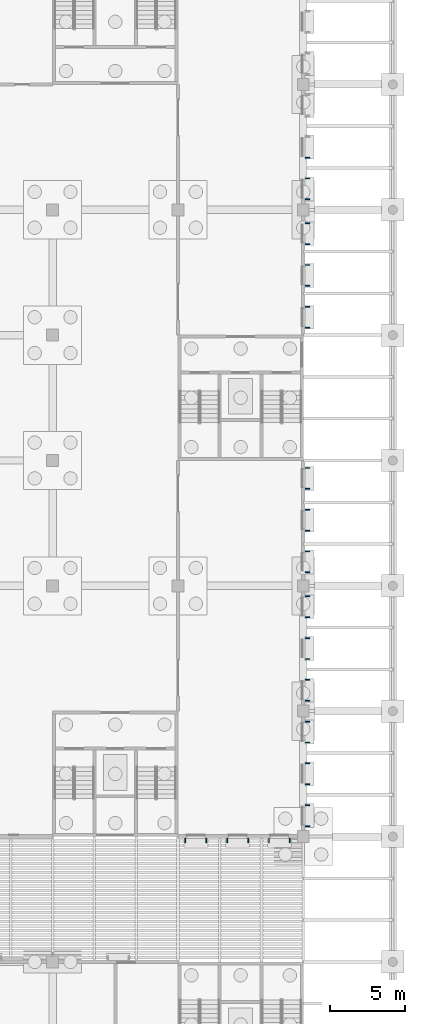
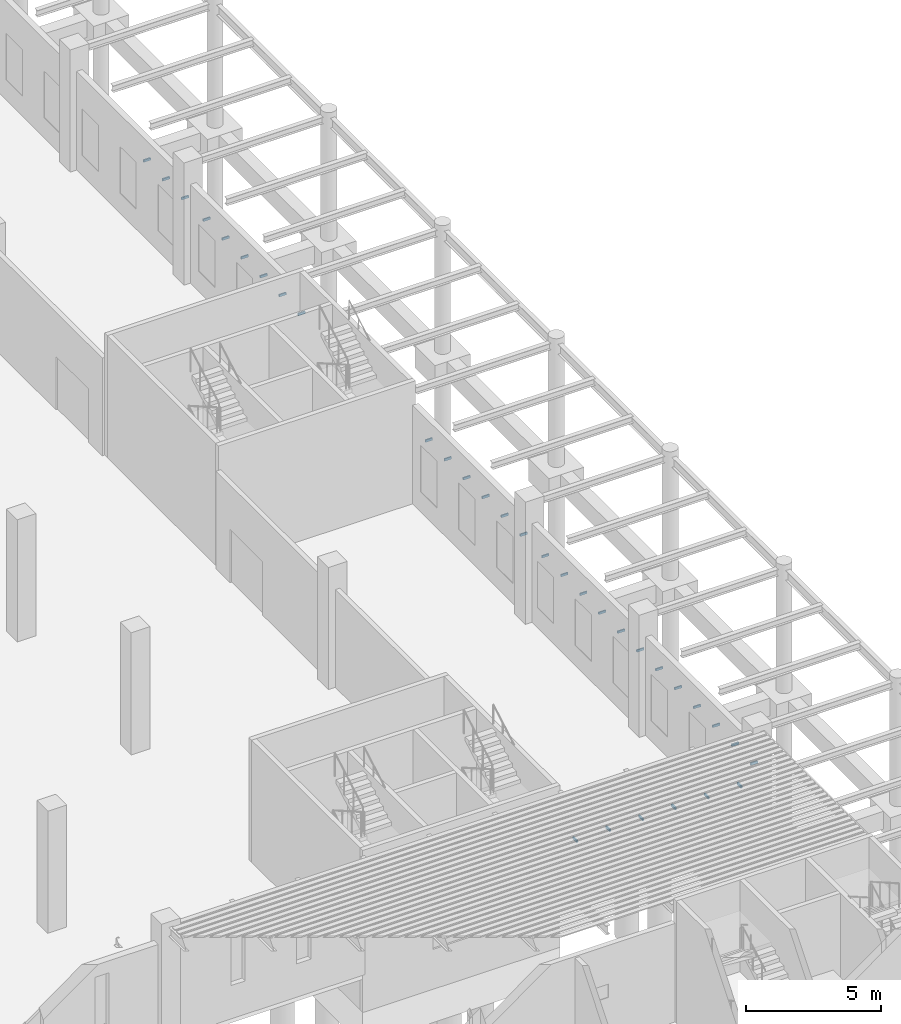
# One storey, part 53 of 82: 33 discrete accessories.
"""IFC4 building model written with IfcOpenShell, lengths in metres."""

import ifcopenshell
import ifcopenshell.guid

model = None  # the IFC model being written
_history = None  # IfcOwnerHistory: only IFC2X3 demands one
_inside = {}  # id of a spatial element -> (the spatial element, [elements in it])
_under = {}  # id of a project, library or spatial element -> (it, [spatial elements below it])
_declared = {}  # id of a project -> (the project, [libraries it declares])
_typed = {}  # id of a type object -> (the type object, [elements of that type])
_made_of = {}  # id of a material, layer set ... -> (it, [elements and type objects made of it])


def new_model(schema):
    """Start an empty IFC model of exactly this schema.

    Asked for "IFC4X3", IfcOpenShell would pick the latest addendum, in which some entities
    have other attributes; the version numbers below select the first issue.
    IFC2X3 requires an IfcOwnerHistory on every rooted entity: one is made here for all.
    """
    global model, _history
    if schema == "IFC4X3":
        model = ifcopenshell.file(schema_version=(4, 3, 0, 0))
    else:
        model = ifcopenshell.file(schema=schema)
    _inside.clear()
    _under.clear()
    _declared.clear()
    _typed.clear()
    _made_of.clear()
    _history = None
    if model.schema == "IFC2X3":
        org = make("IfcOrganization", Name="unknown")
        user = make(
            "IfcPersonAndOrganization",
            ThePerson=make("IfcPerson", FamilyName="unknown"),
            TheOrganization=org,
        )
        app = make(
            "IfcApplication",
            ApplicationDeveloper=org,
            Version="unknown",
            ApplicationFullName="unknown",
            ApplicationIdentifier="unknown",
        )
        _history = make(
            "IfcOwnerHistory",
            OwningUser=user,
            OwningApplication=app,
            ChangeAction="ADDED",
            CreationDate=0,
        )
    return model


def make(cls, **values):
    """One entity of the class cls with the attributes given. An attribute that is None is left unset."""
    return model.create_entity(
        cls, **{name: value for name, value in values.items() if value is not None}
    )


def rooted(cls, **values):
    """An entity with a GlobalId (a new one), such as an element, a storey or a relation."""
    return make(cls, GlobalId=ifcopenshell.guid.new(), OwnerHistory=_history, **values)


def si_unit(unit_type, name, prefix=None):
    """IfcSIUnit, for example si_unit("LENGTHUNIT", "METRE", prefix="MILLI")."""
    return make("IfcSIUnit", UnitType=unit_type, Prefix=prefix, Name=name)


def assignment(units):
    """IfcUnitAssignment: the units of a project."""
    return None if units is None else make("IfcUnitAssignment", Units=units)


def point(xyz):
    """IfcCartesianPoint."""
    return None if xyz is None else make("IfcCartesianPoint", Coordinates=xyz)


def direction(xyz):
    """IfcDirection."""
    return None if xyz is None else make("IfcDirection", DirectionRatios=xyz)


def frame(location, z_axis=None, x_axis=None):
    """IfcAxis2Placement3D, a coordinate frame: its origin and axes. An axis left out is left unset."""
    return make(
        "IfcAxis2Placement3D",
        Location=point(location),
        Axis=direction(z_axis),
        RefDirection=direction(x_axis),
    )


def frame_2d(location, x_axis=None):
    """IfcAxis2Placement2D, a coordinate frame in the plane: its origin and x axis."""
    return make(
        "IfcAxis2Placement2D", Location=point(location), RefDirection=direction(x_axis)
    )


def origin():
    """The frame at (0, 0, 0) with its axes left unset."""
    return frame((0.0, 0.0, 0.0))


def origin_2d():
    """The frame at (0, 0) in the plane with its x axis left unset."""
    return frame_2d((0.0, 0.0))


def place(relative_to, where):
    """IfcLocalPlacement: puts the frame where relative to a parent placement (None: the world)."""
    return make(
        "IfcLocalPlacement", PlacementRelTo=relative_to, RelativePlacement=where
    )


def context(
    kind, dimensions, precision=None, world=None, true_north=None, identifier=None
):
    """IfcGeometricRepresentationContext, for example the 3D "Model" context."""
    return make(
        "IfcGeometricRepresentationContext",
        ContextIdentifier=identifier,
        ContextType=kind,
        CoordinateSpaceDimension=dimensions,
        Precision=precision,
        WorldCoordinateSystem=world,
        TrueNorth=true_north,
    )


def subcontext(parent, identifier, kind, view, scale=None):
    """IfcGeometricRepresentationSubContext, for example "Body" below "Model"."""
    return make(
        "IfcGeometricRepresentationSubContext",
        ContextIdentifier=identifier,
        ContextType=kind,
        ParentContext=parent,
        TargetScale=scale,
        TargetView=view,
    )


def project(units=None, contexts=None):
    """IfcProject with its units and contexts."""
    return rooted(
        "IfcProject",
        Name="project",
        RepresentationContexts=contexts,
        UnitsInContext=assignment(units),
    )


def spatial(cls, under=None, at=None, **own):
    """A site, building, storey or space (cls), placed at a placement, below another one or the project."""
    s = rooted(cls, ObjectPlacement=at, **own)
    if under is not None:
        _under.setdefault(under.id(), (under, []))[1].append(s)
    return s


def profile(cls, at=None, kind="AREA", **sizes):
    """A parametric profile (cls). Its sizes go by their IFC names, for example OverallWidth=200.0."""
    return make(cls, ProfileType=kind, Position=at, **sizes)


def rectangle(**sizes):
    """IfcRectangleProfileDef."""
    return profile("IfcRectangleProfileDef", **sizes)


def extrude(swept, where, along, depth):
    """IfcExtrudedAreaSolid: the profile swept, set in the frame where, extruded along a direction by depth."""
    return make(
        "IfcExtrudedAreaSolid",
        SweptArea=swept,
        Position=where,
        ExtrudedDirection=direction(along),
        Depth=depth,
    )


def shape(context_of_items, identifier, shape_type, items):
    """IfcShapeRepresentation: the items that make up one representation, for example the "Body"."""
    return make(
        "IfcShapeRepresentation",
        ContextOfItems=context_of_items,
        RepresentationIdentifier=identifier,
        RepresentationType=shape_type,
        Items=items,
    )


def material(Name=None, Category=None):
    """IfcMaterial."""
    return make("IfcMaterial", Name=Name, Category=Category)


def made_of(thing, what):
    """Note that an element or type object is made of a material, layer set ...; save() writes the relation."""
    if what is not None:
        _made_of.setdefault(what.id(), (what, []))[1].append(thing)
    return thing


def type_object(cls, material=None, **own):
    """A type object (cls), such as IfcWallType, which elements share."""
    return made_of(rooted(cls, **own), material)


def element(
    cls,
    number,
    at=None,
    inside=None,
    cuts=None,
    type_object=None,
    material=None,
    context=None,
    identifier="Body",
    shape_type=None,
    held_by="IfcProductDefinitionShape",
    body=None,
    shapes=None,
    **own,
):
    """One element of the class cls, such as IfcWall. Its Tag is "e" and its number.

    at: its placement. inside: the storey or other place that contains it. cuts: it is an
    opening in that element (IfcRelVoidsElement). A single representation is given by context,
    identifier, shape_type and body (its items); several are given by shapes. held_by: the class
    of the entity that holds the representations. save() writes the other relations.
    """
    e = rooted(cls, Tag="e%d" % number, ObjectPlacement=at, **own)
    if body is not None:
        shapes = [shape(context, identifier, shape_type, body)]
    if shapes is not None:
        e.Representation = make(held_by, Representations=shapes)
    if inside is not None:
        _inside.setdefault(inside.id(), (inside, []))[1].append(e)
    if cuts is not None:
        rooted(
            "IfcRelVoidsElement", RelatingBuildingElement=cuts, RelatedOpeningElement=e
        )
    if type_object is not None:
        _typed.setdefault(type_object.id(), (type_object, []))[1].append(e)
    return made_of(e, material)


def aggregate(whole, parts):
    """IfcRelAggregates: a whole, such as a stair, and the parts it consists of."""
    return rooted("IfcRelAggregates", RelatingObject=whole, RelatedObjects=parts)


def save(model, path):
    """Write the relations noted so far, then the file.

    IfcRelAggregates (storeys below a building ...), IfcRelContainedInSpatialStructure (elements
    in a storey), IfcRelDefinesByType, IfcRelAssociatesMaterial and IfcRelDeclares: one each for
    every whole, place, type object, material and project.
    """
    for whole, parts in _under.values():
        aggregate(whole, parts)
    for where, things in _inside.values():
        rooted(
            "IfcRelContainedInSpatialStructure",
            RelatedElements=things,
            RelatingStructure=where,
        )
    for kind, things in _typed.values():
        rooted("IfcRelDefinesByType", RelatedObjects=things, RelatingType=kind)
    for what, things in _made_of.values():
        rooted("IfcRelAssociatesMaterial", RelatedObjects=things, RelatingMaterial=what)
    for by, libraries in _declared.values():
        rooted("IfcRelDeclares", RelatingContext=by, RelatedDefinitions=libraries)
    model.write(path)


model = new_model("IFC4")

# Units and contexts
model_context = context("Model", 3, precision=1e-05, world=origin(), true_north=direction((0.0, 1.0)))
body_context = subcontext(model_context, "Body", "Model", "MODEL_VIEW")
ifc_project = project(units=[si_unit("LENGTHUNIT", "METRE"), si_unit("AREAUNIT", "SQUARE_METRE"), si_unit("VOLUMEUNIT", "CUBIC_METRE"), si_unit("PLANEANGLEUNIT", "RADIAN"), si_unit("MASSUNIT", "GRAM", prefix="KILO")], contexts=[model_context])

# Site, building, storey
site_placement = place(None, origin())
site = spatial("IfcSite", under=ifc_project, at=site_placement, CompositionType="ELEMENT")
building_placement = place(site_placement, origin())
building = spatial("IfcBuilding", under=site, at=building_placement, Name="Almond Square Museum", CompositionType="ELEMENT")
storey_placement = place(building_placement, origin())
storey = spatial("IfcBuildingStorey", under=building, at=storey_placement, Name="L00", CompositionType="ELEMENT", Elevation=0.0)

# Discrete accessories
ifc_material = material(Name="Stainless steel", Category="steel")
discrete_accessory_type = type_object("IfcDiscreteAccessoryType", Name="Sun-shade blade bracket", PredefinedType="BRACKET", material=ifc_material)
for number, where, z_axis, x_axis, name in (
    (1, (149.300048828125, 50.126953125, 2.9970703125), (0.0, 0.0, 1.0), (1.0, 0.0, 0.0), "Bracket sun-shade blade"),
    (2, (150.699951171875, 50.126953125, 2.9970703125), (0.0, 0.0, 1.0), (1.0, 0.0, 0.0), "Bracket sun-shade blade"),
    (3, (152.10009765625, 50.126953125, 2.9970703125), (0.0, 0.0, 1.0), (1.0, 0.0, 0.0), "Bracket sun-shade blade"),
    (4, (153.5, 50.126953125, 2.9970703125), (0.0, 0.0, 1.0), (1.0, 0.0, 0.0), "Bracket sun-shade blade"),
    (5, (154.89990234375, 50.126953125, 2.9970703125), (0.0, 0.0, 1.0), (1.0, 0.0, 0.0), "Bracket sun-shade blade"),
    (6, (156.300048828125, 50.126953125, 2.9970703125), (0.0, 0.0, 1.0), (1.0, 0.0, 0.0), "Bracket sun-shade blade"),
):
    element("IfcDiscreteAccessory", number, at=place(storey_placement, frame(where, z_axis=z_axis, x_axis=x_axis)), inside=storey, type_object=discrete_accessory_type, Name=name, PredefinedType="BRACKET", context=body_context, shape_type="SweptSolid", body=[
        extrude(rectangle(XDim=0.06005859375, YDim=0.300048828125, at=origin_2d()), origin(), (0.0, 0.0, 1.0), 0.10009765625),
    ])
for number, where, z_axis, x_axis, name in (
    (7, (157.472900390625, 51.10009765625, 2.9970703125), (0.0, 0.0, 1.0), (1.0, 0.0, 0.0), "Bracket sun-shade blade"),
    (8, (157.472900390625, 52.5, 2.9970703125), (0.0, 0.0, 1.0), (1.0, 0.0, 0.0), "Bracket sun-shade blade"),
    (9, (157.472900390625, 53.89990234375, 2.9970703125), (0.0, 0.0, 1.0), (1.0, 0.0, 0.0), "Bracket sun-shade blade"),
    (10, (157.472900390625, 55.300048828125, 2.9970703125), (0.0, 0.0, 1.0), (1.0, 0.0, 0.0), "Bracket sun-shade blade"),
    (11, (157.472900390625, 56.699951171875, 2.9970703125), (0.0, 0.0, 1.0), (1.0, 0.0, 0.0), "Bracket sun-shade blade"),
    (12, (157.472900390625, 58.10009765625, 2.9970703125), (0.0, 0.0, 1.0), (1.0, 0.0, 0.0), "Bracket sun-shade blade"),
    (13, (157.472900390625, 59.5, 2.9970703125), (0.0, 0.0, 1.0), (1.0, 0.0, 0.0), "Bracket sun-shade blade"),
    (14, (157.472900390625, 60.89990234375, 2.9970703125), (0.0, 0.0, 1.0), (1.0, 0.0, 0.0), "Bracket sun-shade blade"),
    (15, (157.472900390625, 62.300048828125, 2.9970703125), (0.0, 0.0, 1.0), (1.0, 0.0, 0.0), "Bracket sun-shade blade"),
    (16, (157.472900390625, 63.699951171875, 2.9970703125), (0.0, 0.0, 1.0), (1.0, 0.0, 0.0), "Bracket sun-shade blade"),
    (17, (157.472900390625, 65.10009765625, 2.9970703125), (0.0, 0.0, 1.0), (1.0, 0.0, 0.0), "Bracket sun-shade blade"),
    (18, (157.472900390625, 66.5, 2.9970703125), (0.0, 0.0, 1.0), (1.0, 0.0, 0.0), "Bracket sun-shade blade"),
    (19, (157.472900390625, 68.10009765625, 2.9970703125), (0.0, 0.0, 1.0), (1.0, 0.0, 0.0), "Bracket sun-shade blade"),
    (20, (157.472900390625, 69.5, 2.9970703125), (0.0, 0.0, 1.0), (1.0, 0.0, 0.0), "Bracket sun-shade blade"),
    (21, (157.472900390625, 70.89990234375, 2.9970703125), (0.0, 0.0, 1.0), (1.0, 0.0, 0.0), "Bracket sun-shade blade"),
    (22, (157.472900390625, 72.300048828125, 2.9970703125), (0.0, 0.0, 1.0), (1.0, 0.0, 0.0), "Bracket sun-shade blade"),
    (23, (157.472900390625, 73.699951171875, 2.9970703125), (0.0, 0.0, 1.0), (1.0, 0.0, 0.0), "Bracket sun-shade blade"),
    (24, (157.472900390625, 75.10009765625, 2.9970703125), (0.0, 0.0, 1.0), (1.0, 0.0, 0.0), "Bracket sun-shade blade"),
    (25, (157.472900390625, 84.5, 2.9970703125), (0.0, 0.0, 1.0), (1.0, 0.0, 0.0), "Bracket sun-shade blade"),
    (26, (157.472900390625, 85.89990234375, 2.9970703125), (0.0, 0.0, 1.0), (1.0, 0.0, 0.0), "Bracket sun-shade blade"),
    (27, (157.472900390625, 87.300048828125, 2.9970703125), (0.0, 0.0, 1.0), (1.0, 0.0, 0.0), "Bracket sun-shade blade"),
    (28, (157.472900390625, 88.699951171875, 2.9970703125), (0.0, 0.0, 1.0), (1.0, 0.0, 0.0), "Bracket sun-shade blade"),
    (29, (157.472900390625, 90.10009765625, 2.9970703125), (0.0, 0.0, 1.0), (1.0, 0.0, 0.0), "Bracket sun-shade blade"),
    (30, (157.472900390625, 91.5, 2.9970703125), (0.0, 0.0, 1.0), (1.0, 0.0, 0.0), "Bracket sun-shade blade"),
    (31, (157.472900390625, 93.10009765625, 2.9970703125), (0.0, 0.0, 1.0), (1.0, 0.0, 0.0), "Bracket sun-shade blade"),
    (32, (157.472900390625, 94.5, 2.9970703125), (0.0, 0.0, 1.0), (1.0, 0.0, 0.0), "Bracket sun-shade blade"),
    (33, (157.472900390625, 95.89990234375, 2.9970703125), (0.0, 0.0, 1.0), (1.0, 0.0, 0.0), "Bracket sun-shade blade"),
):
    element("IfcDiscreteAccessory", number, at=place(storey_placement, frame(where, z_axis=z_axis, x_axis=x_axis)), inside=storey, type_object=discrete_accessory_type, Name=name, PredefinedType="BRACKET", context=body_context, shape_type="SweptSolid", body=[
        extrude(rectangle(XDim=0.300048828125, YDim=0.06005859375, at=origin_2d()), origin(), (0.0, 0.0, 1.0), 0.10009765625),
    ])

save(model, "model.ifc")
